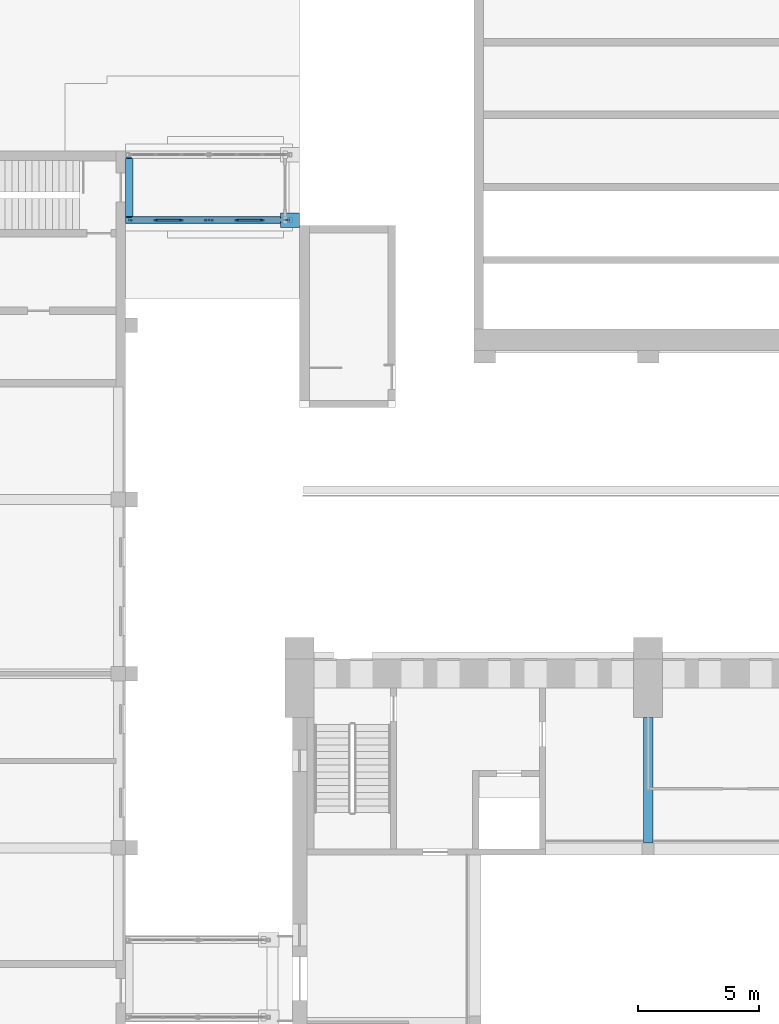
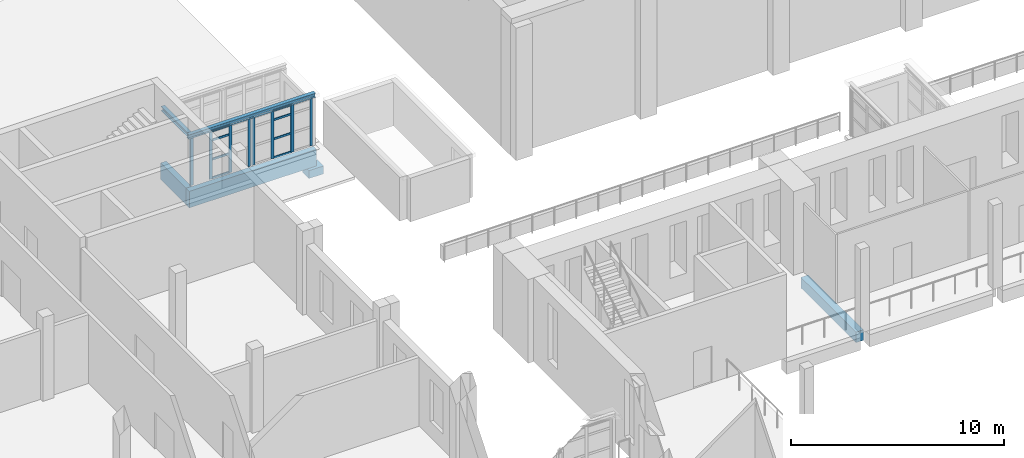
# One storey, part 43 of 131: 16 members, 6 beams, 2 elements without a shape of their own.
"""IFC4 building model written with IfcOpenShell, lengths in metres."""

from ifc_helpers import new_model, si_unit, direction, frame, origin, origin_2d, place, context, subcontext, project, spatial, rectangle, i_section, extrude, material, layer, layer_set, material_profile, profile_set, type_object, element, aggregate, save


model = new_model("IFC4")

# Units and contexts
model_context = context("Model", 3, precision=1e-05, world=origin(), true_north=direction((0.0, 1.0)))
body_context = subcontext(model_context, "Body", "Model", "MODEL_VIEW")
ifc_project = project(units=[si_unit("LENGTHUNIT", "METRE"), si_unit("AREAUNIT", "SQUARE_METRE"), si_unit("VOLUMEUNIT", "CUBIC_METRE"), si_unit("PLANEANGLEUNIT", "RADIAN"), si_unit("MASSUNIT", "GRAM", prefix="KILO")], contexts=[model_context])

# Site, building, storey
site_placement = place(None, origin())
site = spatial("IfcSite", under=ifc_project, at=site_placement, CompositionType="ELEMENT")
building_placement = place(site_placement, origin())
building = spatial("IfcBuilding", under=site, at=building_placement, Name="Alderwick Market Hall", CompositionType="ELEMENT")
storey_placement = place(building_placement, frame((0.0, 0.0, 4.800048828125)))
storey = spatial("IfcBuildingStorey", under=building, at=storey_placement, Name="L00", CompositionType="ELEMENT", Elevation=4.800048828125)

# Beam
ifc_material_1 = material(Name="Concrete 5000 psi (f'c 35 MPa)", Category="concrete")
ifc_material_profile_1 = material_profile(ifc_material_1, rectangle(XDim=0.39990234375, YDim=0.60009765625, at=origin_2d()), Name="RC 400x600")
ifc_profile_set_1 = profile_set([ifc_material_profile_1], Name="Concrete 5000 psi (f'c 35 MPa)")
beam_type_1 = type_object("IfcBeamType", Name="H Gallery beam 400x600", PredefinedType="BEAM", material=ifc_profile_set_1)
beam_1_placement = place(storey_placement, frame((64.800048828125, 106.199951171875, -0.550048828125), z_axis=(0.0, -1.0, 0.0), x_axis=(1.0, 0.0, 0.0)))
element("IfcBeam", 1, at=beam_1_placement, inside=storey, type_object=beam_type_1, Name="Gallery beam N", PredefinedType="BEAM", context=body_context, shape_type="SweptSolid", body=[
    extrude(rectangle(XDim=0.39990234375, YDim=0.60009765625, at=origin_2d()), origin(), (0.0, 0.0, 1.0), 5.18994140625),
])

# Curtain wall, members
ifc_material_2 = material(Name="Aluminium frame", Category="aluminium")
ifc_layer = layer(ifc_material_2, 0.10009765625)
ifc_layer_set = layer_set([ifc_layer], Name="Aluminium frame")
curtain_wall_type = type_object("IfcCurtainWallType", Name="P Curtain Wall 100", PredefinedType="NOTDEFINED", material=ifc_layer_set)
curtain_wall_1_placement = place(storey_placement, origin())
curtain_wall_1 = element("IfcCurtainWall", 2, at=curtain_wall_1_placement, inside=storey, type_object=curtain_wall_type, Name="P.P7.cw.a0", PredefinedType="NOTDEFINED")
ifc_material_profile_2 = material_profile(ifc_material_2, rectangle(XDim=0.06005859375, YDim=0.159912109375, at=origin_2d()), Name="P Mullion 60x160")
ifc_profile_set_2 = profile_set([ifc_material_profile_2], Name="Aluminium frame")
member_type_1 = type_object("IfcMemberType", Name="P Mullion 60x160", PredefinedType="MULLION", material=ifc_profile_set_2)
member_1_placement = place(storey_placement, frame((43.406005859375, 126.75, 0.0), z_axis=(0.0, 0.0, 1.0), x_axis=(0.0, 1.0, 0.0)))
member_1 = element("IfcMember", 3, at=member_1_placement, type_object=member_type_1, Name="P-CW7a0 mullion 1", PredefinedType="MULLION", context=body_context, shape_type="SweptSolid", body=[
    extrude(rectangle(XDim=0.06005859375, YDim=0.159912109375, at=origin_2d()), origin(), (0.0, 0.0, 1.0), 2.7529296875),
])
member_2_placement = place(storey_placement, frame((44.44189453125, 126.75, 0.0), z_axis=(0.0, 0.0, 1.0), x_axis=(0.0, 1.0, 0.0)))
member_2 = element("IfcMember", 4, at=member_2_placement, type_object=member_type_1, Name="P-CW7a0 mullion 2", PredefinedType="MULLION", context=body_context, shape_type="SweptSolid", body=[
    extrude(rectangle(XDim=0.06005859375, YDim=0.159912109375, at=origin_2d()), origin(), (0.0, 0.0, 1.0), 2.7529296875),
])
member_3_placement = place(storey_placement, frame((45.508056640625, 126.75, 0.0), z_axis=(0.0, 0.0, 1.0), x_axis=(0.0, 1.0, 0.0)))
member_3 = element("IfcMember", 5, at=member_3_placement, type_object=member_type_1, Name="P-CW7a0 mullion 3", PredefinedType="MULLION", context=body_context, shape_type="SweptSolid", body=[
    extrude(rectangle(XDim=0.06005859375, YDim=0.159912109375, at=origin_2d()), origin(), (0.0, 0.0, 1.0), 2.7529296875),
])
member_4_placement = place(storey_placement, frame((46.5439453125, 126.75, 0.0), z_axis=(0.0, 0.0, 1.0), x_axis=(0.0, 1.0, 0.0)))
member_4 = element("IfcMember", 6, at=member_4_placement, type_object=member_type_1, Name="P-CW7a0 mullion 4", PredefinedType="MULLION", context=body_context, shape_type="SweptSolid", body=[
    extrude(rectangle(XDim=0.06005859375, YDim=0.159912109375, at=origin_2d()), origin(), (0.0, 0.0, 1.0), 2.7529296875),
])

curtain_wall_2_placement = place(storey_placement, origin())
curtain_wall_2 = element("IfcCurtainWall", 7, at=curtain_wall_2_placement, inside=storey, type_object=curtain_wall_type, Name="P.P7.cw.a1", PredefinedType="NOTDEFINED")
member_5_placement = place(storey_placement, frame((46.756103515625, 126.75, 0.0), z_axis=(0.0, 0.0, 1.0), x_axis=(0.0, 1.0, 0.0)))
member_5 = element("IfcMember", 8, at=member_5_placement, type_object=member_type_1, Name="P-CW7a1 mullion 1", PredefinedType="MULLION", context=body_context, shape_type="SweptSolid", body=[
    extrude(rectangle(XDim=0.06005859375, YDim=0.159912109375, at=origin_2d()), origin(), (0.0, 0.0, 1.0), 2.7529296875),
])
member_6_placement = place(storey_placement, frame((47.7919921875, 126.75, 0.0), z_axis=(0.0, 0.0, 1.0), x_axis=(0.0, 1.0, 0.0)))
member_6 = element("IfcMember", 9, at=member_6_placement, type_object=member_type_1, Name="P-CW7a1 mullion 2", PredefinedType="MULLION", context=body_context, shape_type="SweptSolid", body=[
    extrude(rectangle(XDim=0.06005859375, YDim=0.159912109375, at=origin_2d()), origin(), (0.0, 0.0, 1.0), 2.7529296875),
])
member_7_placement = place(storey_placement, frame((48.85791015625, 126.75, 0.0), z_axis=(0.0, 0.0, 1.0), x_axis=(0.0, 1.0, 0.0)))
member_7 = element("IfcMember", 10, at=member_7_placement, type_object=member_type_1, Name="P-CW7a1 mullion 3", PredefinedType="MULLION", context=body_context, shape_type="SweptSolid", body=[
    extrude(rectangle(XDim=0.06005859375, YDim=0.159912109375, at=origin_2d()), origin(), (0.0, 0.0, 1.0), 2.7529296875),
])
member_8_placement = place(storey_placement, frame((49.89404296875, 126.75, 0.0), z_axis=(0.0, 0.0, 1.0), x_axis=(0.0, 1.0, 0.0)))
member_8 = element("IfcMember", 11, at=member_8_placement, type_object=member_type_1, Name="P-CW7a1 mullion 4", PredefinedType="MULLION", context=body_context, shape_type="SweptSolid", body=[
    extrude(rectangle(XDim=0.06005859375, YDim=0.159912109375, at=origin_2d()), origin(), (0.0, 0.0, 1.0), 2.7529296875),
])

# Beams
ifc_material_profile_3 = material_profile(ifc_material_1, rectangle(XDim=0.60009765625, YDim=0.449951171875, at=origin_2d()), Name="P RC Bearing Corbel 600x450")
ifc_profile_set_3 = profile_set([ifc_material_profile_3], Name="Concrete 5000 psi (f'c 35 MPa)")
beam_type_2 = type_object("IfcBeamType", Name="P RC Bearing Corbel 600x450", PredefinedType="USERDEFINED", material=ifc_profile_set_3)
beam_2_placement = place(storey_placement, frame((49.60009765625, 126.75, -1.39306640625), z_axis=(1.0, 0.0, 0.0), x_axis=(0.0, 1.0, 0.0)))
element("IfcBeam", 12, at=beam_2_placement, inside=storey, type_object=beam_type_2, Name="Bearing corbel", ObjectType="CORBEL", PredefinedType="USERDEFINED", context=body_context, shape_type="SweptSolid", body=[
    extrude(rectangle(XDim=0.60009765625, YDim=0.449951171875, at=origin_2d()), origin(), (0.0, 0.0, 1.0), 0.7998046875),
])
ifc_material_profile_4 = material_profile(ifc_material_1, rectangle(XDim=0.300048828125, YDim=0.949951171875, at=origin_2d()), Name="P RC Edge Girder 300x950")
ifc_profile_set_4 = profile_set([ifc_material_profile_4], Name="Concrete 5000 psi (f'c 35 MPa)")
beam_type_3 = type_object("IfcBeamType", Name="P RC Edge Girder 300x950", PredefinedType="BEAM", material=ifc_profile_set_4)
beam_3_placement = place(storey_placement, frame((43.199951171875, 126.75, -0.675048828125), z_axis=(1.0, 0.0, 0.0), x_axis=(0.0, 1.0, 0.0)))
element("IfcBeam", 13, at=beam_3_placement, inside=storey, type_object=beam_type_3, Name="P.P7.girder.a", PredefinedType="BEAM", context=body_context, shape_type="SweptSolid", body=[
    extrude(rectangle(XDim=0.300048828125, YDim=0.949951171875, at=origin_2d()), origin(), (0.0, 0.0, 1.0), 6.900146484375),
])
beam_4_placement = place(storey_placement, frame((43.35009765625, 126.89990234375, -0.675048828125), z_axis=(0.0, 1.0, 0.0), x_axis=(-1.0, 0.0, 0.0)))
element("IfcBeam", 14, at=beam_4_placement, inside=storey, type_object=beam_type_3, Name="Passage tie girder", PredefinedType="BEAM", context=body_context, shape_type="SweptSolid", body=[
    extrude(rectangle(XDim=0.300048828125, YDim=0.949951171875, at=origin_2d()), origin(), (0.0, 0.0, 1.0), 2.400146484375),
])
ifc_material_3 = material(Name="Steel ASTM A992 Grade 50", Category="steel")
ifc_material_profile_5 = material_profile(ifc_material_3, i_section(OverallWidth=0.201904296875, OverallDepth=0.2470703125, WebThickness=0.00732421875, FlangeThickness=0.010986328125, at=origin_2d()), Name="W250x49")
ifc_profile_set_5 = profile_set([ifc_material_profile_5], Name="Steel ASTM A992 Grade 50")
beam_type_4 = type_object("IfcBeamType", Name="P Roof Beam W250x49", PredefinedType="BEAM", material=ifc_profile_set_5)
beam_5_placement = place(storey_placement, frame((43.199951171875, 126.75, 2.87646484375), z_axis=(1.0, 0.0, 0.0), x_axis=(0.0, 1.0, 0.0)))
element("IfcBeam", 15, at=beam_5_placement, inside=storey, type_object=beam_type_4, Name="P.P7.rbeam.a", PredefinedType="BEAM", context=body_context, shape_type="SweptSolid", body=[
    extrude(i_section(OverallWidth=0.201904296875, OverallDepth=0.2470703125, WebThickness=0.00732421875, FlangeThickness=0.010986328125, at=origin_2d()), origin(), (0.0, 0.0, 1.0), 6.900146484375),
])
beam_6_placement = place(storey_placement, frame((43.35009765625, 126.85107421875, 2.87646484375), z_axis=(0.0, 1.0, 0.0), x_axis=(-1.0, 0.0, 0.0)))
element("IfcBeam", 16, at=beam_6_placement, inside=storey, type_object=beam_type_4, Name="Passage tie beam", PredefinedType="BEAM", context=body_context, shape_type="SweptSolid", body=[
    extrude(i_section(OverallWidth=0.201904296875, OverallDepth=0.2470703125, WebThickness=0.00732421875, FlangeThickness=0.010986328125, at=origin_2d()), origin(), (0.0, 0.0, 1.0), 2.498046875),
])

# Member
ifc_material_profile_6 = material_profile(ifc_material_2, rectangle(XDim=0.06005859375, YDim=0.1201171875, at=origin_2d()), Name="P Transom 60x120")
ifc_profile_set_6 = profile_set([ifc_material_profile_6], Name="Aluminium frame")
member_type_2 = type_object("IfcMemberType", Name="P Transom 60x120", PredefinedType="USERDEFINED", material=ifc_profile_set_6)
member_9_placement = place(storey_placement, frame((44.471923828125, 126.75, 0.030029296875), z_axis=(1.0, 0.0, 0.0), x_axis=(0.0, 1.0, 0.0)))
member_9 = element("IfcMember", 17, at=member_9_placement, type_object=member_type_2, Name="P-CW7a0 transom 2.1", ObjectType="TRANSOM", PredefinedType="USERDEFINED", context=body_context, shape_type="SweptSolid", body=[
    extrude(rectangle(XDim=0.06005859375, YDim=0.1201171875, at=origin_2d()), origin(), (0.0, 0.0, 1.0), 1.006103515625),
])

member_10_placement = place(storey_placement, frame((44.471923828125, 126.75, 1.099853515625), z_axis=(1.0, 0.0, 0.0), x_axis=(0.0, 1.0, 0.0)))
member_10 = element("IfcMember", 18, at=member_10_placement, type_object=member_type_2, Name="P-CW7a0 transom 2.2", ObjectType="TRANSOM", PredefinedType="USERDEFINED", context=body_context, shape_type="SweptSolid", body=[
    extrude(rectangle(XDim=0.06005859375, YDim=0.1201171875, at=origin_2d()), origin(), (0.0, 0.0, 1.0), 1.006103515625),
])

member_11_placement = place(storey_placement, frame((44.471923828125, 126.75, 2.199951171875), z_axis=(1.0, 0.0, 0.0), x_axis=(0.0, 1.0, 0.0)))
member_11 = element("IfcMember", 19, at=member_11_placement, type_object=member_type_2, Name="P-CW7a0 transom 2.3", ObjectType="TRANSOM", PredefinedType="USERDEFINED", context=body_context, shape_type="SweptSolid", body=[
    extrude(rectangle(XDim=0.06005859375, YDim=0.1201171875, at=origin_2d()), origin(), (0.0, 0.0, 1.0), 1.006103515625),
])

member_12_placement = place(storey_placement, frame((44.471923828125, 126.75, 2.722900390625), z_axis=(1.0, 0.0, 0.0), x_axis=(0.0, 1.0, 0.0)))
member_12 = element("IfcMember", 20, at=member_12_placement, type_object=member_type_2, Name="P-CW7a0 transom 2.4", ObjectType="TRANSOM", PredefinedType="USERDEFINED", context=body_context, shape_type="SweptSolid", body=[
    extrude(rectangle(XDim=0.06005859375, YDim=0.1201171875, at=origin_2d()), origin(), (0.0, 0.0, 1.0), 1.006103515625),
])

aggregate(curtain_wall_1, [member_1, member_2, member_3, member_4, member_9, member_10, member_11, member_12])

member_13_placement = place(storey_placement, frame((47.822021484375, 126.75, 0.030029296875), z_axis=(1.0, 0.0, 0.0), x_axis=(0.0, 1.0, 0.0)))
member_13 = element("IfcMember", 21, at=member_13_placement, type_object=member_type_2, Name="P-CW7a1 transom 2.1", ObjectType="TRANSOM", PredefinedType="USERDEFINED", context=body_context, shape_type="SweptSolid", body=[
    extrude(rectangle(XDim=0.06005859375, YDim=0.1201171875, at=origin_2d()), origin(), (0.0, 0.0, 1.0), 1.005859375),
])

member_14_placement = place(storey_placement, frame((47.822021484375, 126.75, 1.099853515625), z_axis=(1.0, 0.0, 0.0), x_axis=(0.0, 1.0, 0.0)))
member_14 = element("IfcMember", 22, at=member_14_placement, type_object=member_type_2, Name="P-CW7a1 transom 2.2", ObjectType="TRANSOM", PredefinedType="USERDEFINED", context=body_context, shape_type="SweptSolid", body=[
    extrude(rectangle(XDim=0.06005859375, YDim=0.1201171875, at=origin_2d()), origin(), (0.0, 0.0, 1.0), 1.005859375),
])

member_15_placement = place(storey_placement, frame((47.822021484375, 126.75, 2.199951171875), z_axis=(1.0, 0.0, 0.0), x_axis=(0.0, 1.0, 0.0)))
member_15 = element("IfcMember", 23, at=member_15_placement, type_object=member_type_2, Name="P-CW7a1 transom 2.3", ObjectType="TRANSOM", PredefinedType="USERDEFINED", context=body_context, shape_type="SweptSolid", body=[
    extrude(rectangle(XDim=0.06005859375, YDim=0.1201171875, at=origin_2d()), origin(), (0.0, 0.0, 1.0), 1.005859375),
])

member_16_placement = place(storey_placement, frame((47.822021484375, 126.75, 2.722900390625), z_axis=(1.0, 0.0, 0.0), x_axis=(0.0, 1.0, 0.0)))
member_16 = element("IfcMember", 24, at=member_16_placement, type_object=member_type_2, Name="P-CW7a1 transom 2.4", ObjectType="TRANSOM", PredefinedType="USERDEFINED", context=body_context, shape_type="SweptSolid", body=[
    extrude(rectangle(XDim=0.06005859375, YDim=0.1201171875, at=origin_2d()), origin(), (0.0, 0.0, 1.0), 1.005859375),
])

aggregate(curtain_wall_2, [member_5, member_6, member_7, member_8, member_13, member_14, member_15, member_16])

save(model, "model.ifc")
